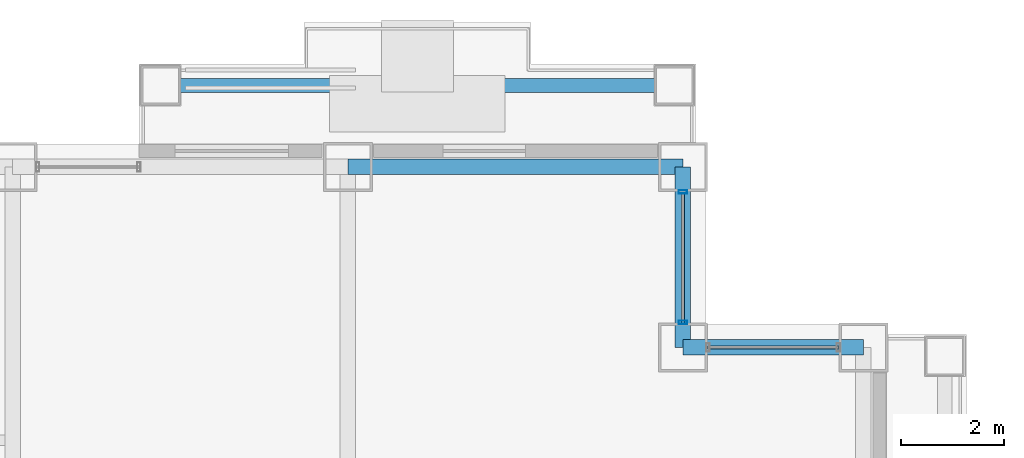
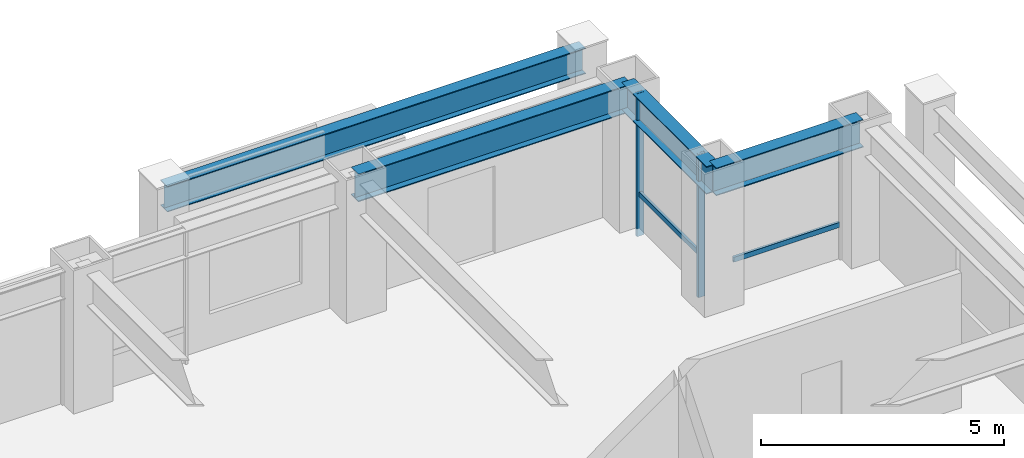
# One storey, part 22 of 31: 4 beams, 4 members, 2 elements without a shape of their own.
"""IFC4 building model written with IfcOpenShell, lengths in metres."""

from ifc_helpers import new_model, si_unit, direction, frame, origin, origin_2d, place, context, subcontext, project, spatial, hollow_rectangle, i_section, extrude, material, layer, layer_set, material_profile, profile_set, type_object, element, aggregate, save


model = new_model("IFC4")

# Units and contexts
model_context = context("Model", 3, precision=1e-05, world=origin(), true_north=direction((0.0, 1.0)))
body_context = subcontext(model_context, "Body", "Model", "MODEL_VIEW")
ifc_project = project(units=[si_unit("LENGTHUNIT", "METRE"), si_unit("AREAUNIT", "SQUARE_METRE"), si_unit("VOLUMEUNIT", "CUBIC_METRE"), si_unit("PLANEANGLEUNIT", "RADIAN"), si_unit("MASSUNIT", "GRAM", prefix="KILO")], contexts=[model_context])

# Site, building, storey
site_placement = place(None, origin())
site = spatial("IfcSite", under=ifc_project, at=site_placement, CompositionType="ELEMENT")
building_placement = place(site_placement, origin())
building = spatial("IfcBuilding", under=site, at=building_placement, Name="Brelmoor Portico Tower", CompositionType="ELEMENT")
storey_placement = place(building_placement, frame((0.0, 0.0, 27.60009765625)))
storey = spatial("IfcBuildingStorey", under=building, at=storey_placement, Name="L06", CompositionType="ELEMENT", Elevation=27.60009765625)

# Beams
ifc_material_1 = material(Name="Steel Q355B", Category="steel")
ifc_material_profile_1 = material_profile(ifc_material_1, i_section(OverallWidth=0.280029296875, OverallDepth=0.64990234375, WebThickness=0.012939453125, FlangeThickness=0.02197265625, at=origin_2d()), Name="HN 650x280x13x22")
ifc_profile_set_1 = profile_set([ifc_material_profile_1], Name="Steel Q355B")
beam_type_1 = type_object("IfcBeamType", Name="BM-SP-650", PredefinedType="SPANDREL", material=ifc_profile_set_1)
beam_1_placement = place(storey_placement, frame((10.919921875, 23.1298828125, 3.074951171875), z_axis=(1.0, 0.0, 0.0), x_axis=(0.0, 1.0, 0.0)))
element("IfcBeam", 1, at=beam_1_placement, inside=storey, type_object=beam_type_1, Name="L06 Picture-Frame Perimeter Lintel Beam N1", PredefinedType="SPANDREL", context=body_context, shape_type="SweptSolid", body=[
    extrude(i_section(OverallWidth=0.280029296875, OverallDepth=0.64990234375, WebThickness=0.012939453125, FlangeThickness=0.02197265625, at=origin_2d()), origin(), (0.0, 0.0, 1.0), 9.9599609375),
])
ifc_material_profile_2 = material_profile(ifc_material_1, i_section(OverallWidth=0.300048828125, OverallDepth=0.699951171875, WebThickness=0.012939453125, FlangeThickness=0.02392578125, at=origin_2d()), Name="HN 700x300x13x24")
ifc_profile_set_2 = profile_set([ifc_material_profile_2], Name="Steel Q355B")
beam_type_2 = type_object("IfcBeamType", Name="BM-SP-700", PredefinedType="SPANDREL", material=ifc_profile_set_2)
beam_2_placement = place(storey_placement, frame((21.050048828125, 18.050048828125, 3.0498046875), z_axis=(1.0, 0.0, 0.0), x_axis=(0.0, 1.0, 0.0)))
element("IfcBeam", 2, at=beam_2_placement, inside=storey, type_object=beam_type_2, Name="L06 Perimeter Spandrel Beam SP-09", PredefinedType="SPANDREL", context=body_context, shape_type="SweptSolid", body=[
    extrude(i_section(OverallWidth=0.300048828125, OverallDepth=0.699951171875, WebThickness=0.012939453125, FlangeThickness=0.02392578125, at=origin_2d()), origin(), (0.0, 0.0, 1.0), 3.5),
])
beam_3_placement = place(storey_placement, frame((14.550048828125, 21.550048828125, 3.0498046875), z_axis=(1.0, 0.0, 0.0), x_axis=(0.0, 1.0, 0.0)))
element("IfcBeam", 3, at=beam_3_placement, inside=storey, type_object=beam_type_2, Name="L06 Perimeter Spandrel Beam SP-14", PredefinedType="SPANDREL", context=body_context, shape_type="SweptSolid", body=[
    extrude(i_section(OverallWidth=0.300048828125, OverallDepth=0.699951171875, WebThickness=0.012939453125, FlangeThickness=0.02392578125, at=origin_2d()), origin(), (0.0, 0.0, 1.0), 6.5),
])
beam_4_placement = place(storey_placement, frame((21.050048828125, 18.050048828125, 3.0498046875), z_axis=(0.0, 1.0, 0.0), x_axis=(-1.0, 0.0, 0.0)))
element("IfcBeam", 4, at=beam_4_placement, inside=storey, type_object=beam_type_2, Name="L06 Perimeter Spandrel Beam SP-21", PredefinedType="SPANDREL", context=body_context, shape_type="SweptSolid", body=[
    extrude(i_section(OverallWidth=0.300048828125, OverallDepth=0.699951171875, WebThickness=0.012939453125, FlangeThickness=0.02392578125, at=origin_2d()), origin(), (0.0, 0.0, 1.0), 3.5),
])

# Curtain wall, members
ifc_material_2 = material(Name="Anodised Aluminium Alloy 6063-T6", Category="aluminium")
ifc_layer = layer(ifc_material_2, 0.179931640625)
ifc_layer_set = layer_set([ifc_layer], Name="Anodised Aluminium Alloy 6063-T6")
curtain_wall_type = type_object("IfcCurtainWallType", Name="CW-NOTCH-CHAMFER", PredefinedType="NOTDEFINED", material=ifc_layer_set)
curtain_wall_1_placement = place(storey_placement, origin())
curtain_wall_1 = element("IfcCurtainWall", 5, at=curtain_wall_1_placement, inside=storey, type_object=curtain_wall_type, Name="L06 Curtain Wall CWN-L06-NEV", PredefinedType="NOTDEFINED")
ifc_material_profile_3 = material_profile(ifc_material_2, hollow_rectangle(XDim=0.06494140625, YDim=0.1650390625, WallThickness=0.00390625, at=origin_2d()), Name="ALU MULLION 65x165")
ifc_profile_set_3 = profile_set([ifc_material_profile_3], Name="Anodised Aluminium Alloy 6063-T6")
member_type_1 = type_object("IfcMemberType", Name="MB-CW-MULL-165", PredefinedType="MULLION", material=ifc_profile_set_3)
member_1_placement = place(storey_placement, frame((21.050048828125, 18.534912109375, -0.2001953125), z_axis=(0.0, 0.0, 1.0), x_axis=(0.0, 1.0, 0.0)))
member_1 = element("IfcMember", 6, at=member_1_placement, type_object=member_type_1, Name="CWN-L06-NEV Mullion 00", PredefinedType="MULLION", context=body_context, shape_type="SweptSolid", body=[
    extrude(hollow_rectangle(XDim=0.06494140625, YDim=0.1650390625, WallThickness=0.00390625, at=origin_2d()), origin(), (0.0, 0.0, 1.0), 3.60009765625),
])
member_2_placement = place(storey_placement, frame((21.050048828125, 21.06494140625, -0.2001953125), z_axis=(0.0, 0.0, 1.0), x_axis=(0.0, 1.0, 0.0)))
member_2 = element("IfcMember", 7, at=member_2_placement, type_object=member_type_1, Name="CWN-L06-NEV Mullion 01", PredefinedType="MULLION", context=body_context, shape_type="SweptSolid", body=[
    extrude(hollow_rectangle(XDim=0.06494140625, YDim=0.1650390625, WallThickness=0.00390625, at=origin_2d()), origin(), (0.0, 0.0, 1.0), 3.60009765625),
])

# Curtain wall, member
curtain_wall_2_placement = place(storey_placement, origin())
curtain_wall_2 = element("IfcCurtainWall", 8, at=curtain_wall_2_placement, inside=storey, type_object=curtain_wall_type, Name="L06 Curtain Wall CWN-L06-NEH", PredefinedType="NOTDEFINED")
ifc_material_profile_4 = material_profile(ifc_material_2, hollow_rectangle(XDim=0.06005859375, YDim=0.125, WallThickness=0.00341796875, at=origin_2d()), Name="ALU TRANSOM 60x125")
ifc_profile_set_4 = profile_set([ifc_material_profile_4], Name="Anodised Aluminium Alloy 6063-T6")
member_type_2 = type_object("IfcMemberType", Name="MB-CW-TRAN-125", PredefinedType="USERDEFINED", material=ifc_profile_set_4)
member_3_placement = place(storey_placement, frame((21.534912109375, 18.050048828125, 0.849853515625), z_axis=(1.0, 0.0, 0.0), x_axis=(0.0, 1.0, 0.0)))
member_3 = element("IfcMember", 9, at=member_3_placement, type_object=member_type_2, Name="CWN-L06-NEH Transom 1-00", ObjectType="TRANSOM", PredefinedType="USERDEFINED", context=body_context, shape_type="SweptSolid", body=[
    extrude(hollow_rectangle(XDim=0.06005859375, YDim=0.125, WallThickness=0.00341796875, at=origin_2d()), origin(), (0.0, 0.0, 1.0), 2.530029296875),
])
aggregate(curtain_wall_2, [member_3])

# Member
member_4_placement = place(storey_placement, frame((21.050048828125, 18.534912109375, 0.849853515625), z_axis=(0.0, 1.0, 0.0), x_axis=(-1.0, 0.0, 0.0)))
member_4 = element("IfcMember", 10, at=member_4_placement, type_object=member_type_2, Name="CWN-L06-NEV Transom 1-00", ObjectType="TRANSOM", PredefinedType="USERDEFINED", context=body_context, shape_type="SweptSolid", body=[
    extrude(hollow_rectangle(XDim=0.06005859375, YDim=0.125, WallThickness=0.00341796875, at=origin_2d()), origin(), (0.0, 0.0, 1.0), 2.530029296875),
])

aggregate(curtain_wall_1, [member_1, member_2, member_4])

save(model, "model.ifc")
